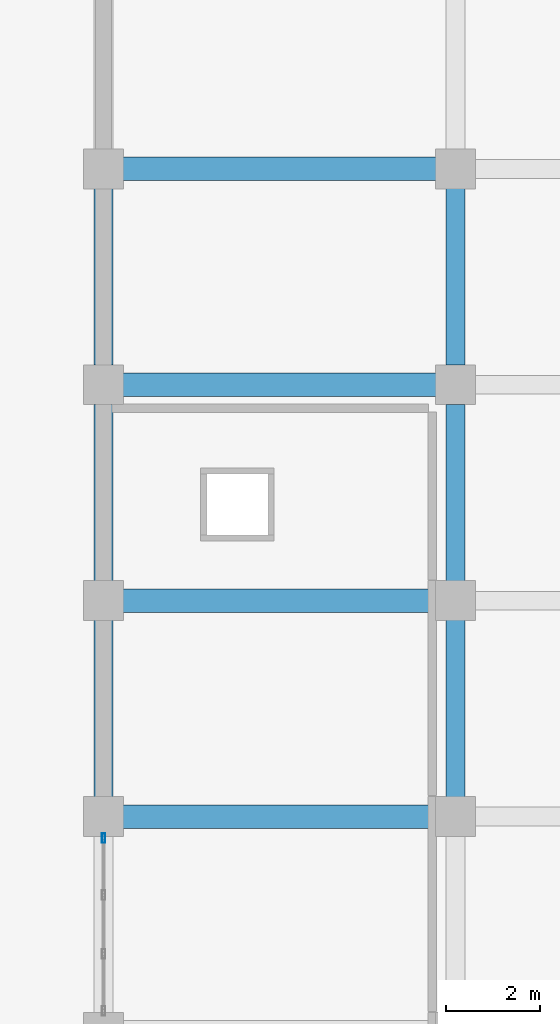
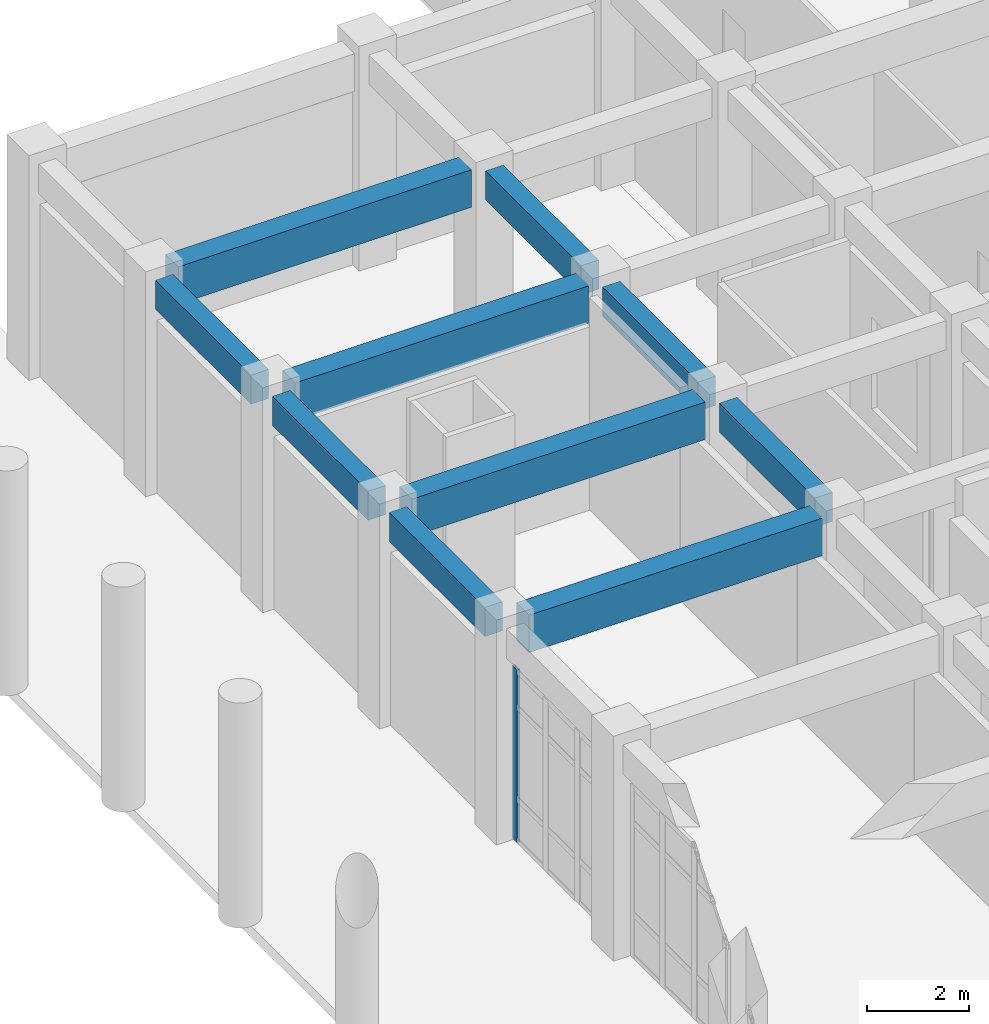
# One storey, part 17 of 84: 10 beams, 1 member, 1 element without a shape of its own.
"""IFC4 building model written with IfcOpenShell, lengths in metres."""

from ifc_helpers import new_model, si_unit, direction, frame, origin, origin_2d, place, context, subcontext, project, spatial, rectangle, hollow_rectangle, extrude, material, layer, layer_set, material_profile, profile_set, type_object, element, aggregate, save


model = new_model("IFC4")

# Units and contexts
model_context = context("Model", 3, precision=1e-05, world=origin(), true_north=direction((0.0, 1.0)))
body_context = subcontext(model_context, "Body", "Model", "MODEL_VIEW")
ifc_project = project(units=[si_unit("LENGTHUNIT", "METRE"), si_unit("AREAUNIT", "SQUARE_METRE"), si_unit("VOLUMEUNIT", "CUBIC_METRE"), si_unit("PLANEANGLEUNIT", "RADIAN"), si_unit("MASSUNIT", "GRAM", prefix="KILO")], contexts=[model_context])

# Site, building, storey
site_placement = place(None, origin())
site = spatial("IfcSite", under=ifc_project, at=site_placement, CompositionType="ELEMENT")
building_placement = place(site_placement, origin())
building = spatial("IfcBuilding", under=site, at=building_placement, Name="Muzn Square Opera House", CompositionType="ELEMENT")
storey_placement = place(building_placement, origin())
storey = spatial("IfcBuildingStorey", under=building, at=storey_placement, Name="L00", CompositionType="ELEMENT", Elevation=0.0)

# Curtain wall, member
ifc_material_1 = material(Name="Low-E laminated acoustic double glazing", Category="glass")
ifc_layer = layer(ifc_material_1, 0.159912109375, Name="Low-E laminated acoustic double glazing", Category="glass")
ifc_layer_set = layer_set([ifc_layer], Name="Low-E laminated acoustic double glazing")
curtain_wall_type = type_object("IfcCurtainWallType", Name="Glazed Curtain Wall WestBlvd 3750x4150", PredefinedType="USERDEFINED", material=ifc_layer_set)
curtain_wall_placement = place(storey_placement, origin())
curtain_wall = element("IfcCurtainWall", 1, at=curtain_wall_placement, inside=storey, type_object=curtain_wall_type, Name="Glazed Curtain Wall CW-L00-138", ObjectType="GLAZED CURTAIN WALL", PredefinedType="USERDEFINED")
ifc_material_2 = material(Name="Anodised bronze aluminium 6063-T6", Category="metal")
ifc_material_profile_1 = material_profile(ifc_material_2, hollow_rectangle(XDim=0.070068359375, YDim=0.199951171875, WallThickness=0.0048828125, at=origin_2d()), Name="ALU 200x70x5", Category="metal")
ifc_profile_set_1 = profile_set([ifc_material_profile_1], Name="Anodised bronze aluminium 6063-T6")
member_type = type_object("IfcMemberType", Name="Curtain Wall Mullion 200x70", PredefinedType="MULLION", material=ifc_profile_set_1)
member_placement = place(storey_placement, frame((6.0, 49.139892578125, 0.0), z_axis=(0.0, 0.0, 1.0), x_axis=(-1.0, 0.0, 0.0)))
member = element("IfcMember", 2, at=member_placement, type_object=member_type, Name="CW-WBL-37x41 mullion 4", PredefinedType="MULLION", context=body_context, shape_type="SweptSolid", body=[
    extrude(hollow_rectangle(XDim=0.070068359375, YDim=0.199951171875, WallThickness=0.0048828125, at=origin_2d()), origin(), (0.0, 0.0, 1.0), 4.14990234375),
])
aggregate(curtain_wall, [member])

# Beams
ifc_material_3 = material(Name="Concrete C40/50", Category="concrete")
ifc_material_profile_2 = material_profile(ifc_material_3, rectangle(XDim=0.39990234375, YDim=0.699951171875, at=origin_2d()), Name="RCB 400x700", Category="concrete")
ifc_profile_set_2 = profile_set([ifc_material_profile_2], Name="Concrete C40/50")
beam_type_1 = type_object("IfcBeamType", Name="Primary Girder 400x700", PredefinedType="BEAM", material=ifc_profile_set_2)
beam_1_placement = place(storey_placement, frame((6.0, 50.01708984375, 4.77001953125), z_axis=(0.0, 1.0, 0.0), x_axis=(-1.0, 0.0, 0.0)))
element("IfcBeam", 3, at=beam_1_placement, inside=storey, type_object=beam_type_1, Name="Primary Girder BM-L00-BM-PG700-60_500_60_538-962", PredefinedType="BEAM", context=body_context, shape_type="SweptSolid", body=[
    extrude(rectangle(XDim=0.39990234375, YDim=0.699951171875, at=origin_2d()), origin(), (0.0, 0.0, 1.0), 3.765869140625),
])
beam_2_placement = place(storey_placement, frame((6.0, 54.616943359375, 4.77001953125), z_axis=(0.0, 1.0, 0.0), x_axis=(-1.0, 0.0, 0.0)))
element("IfcBeam", 4, at=beam_2_placement, inside=storey, type_object=beam_type_1, Name="Primary Girder BM-L00-BM-PG700-60_546_60_584-963", PredefinedType="BEAM", context=body_context, shape_type="SweptSolid", body=[
    extrude(rectangle(XDim=0.39990234375, YDim=0.699951171875, at=origin_2d()), origin(), (0.0, 0.0, 1.0), 3.76611328125),
])
for number, where, z_axis, x_axis, name in (
    (5, (6.0, 59.217041015625, 4.77001953125), (0.0, 1.0, 0.0), (-1.0, 0.0, 0.0), "Primary Girder BM-L00-BM-PG700-60_592_60_630-964"),
    (6, (13.5, 50.01708984375, 4.77001953125), (0.0, 1.0, 0.0), (-1.0, 0.0, 0.0), "Primary Girder BM-L00-BM-PG700-135_500_135_538-973"),
):
    element("IfcBeam", number, at=place(storey_placement, frame(where, z_axis=z_axis, x_axis=x_axis)), inside=storey, type_object=beam_type_1, Name=name, PredefinedType="BEAM", context=body_context, shape_type="SweptSolid", body=[
        extrude(rectangle(XDim=0.39990234375, YDim=0.699951171875, at=origin_2d()), origin(), (0.0, 0.0, 1.0), 3.765869140625),
    ])
beam_3_placement = place(storey_placement, frame((13.5, 54.616943359375, 4.77001953125), z_axis=(0.0, 1.0, 0.0), x_axis=(-1.0, 0.0, 0.0)))
element("IfcBeam", 7, at=beam_3_placement, inside=storey, type_object=beam_type_1, Name="Primary Girder BM-L00-BM-PG700-135_546_135_584-974", PredefinedType="BEAM", context=body_context, shape_type="SweptSolid", body=[
    extrude(rectangle(XDim=0.39990234375, YDim=0.699951171875, at=origin_2d()), origin(), (0.0, 0.0, 1.0), 3.76611328125),
])
beam_4_placement = place(storey_placement, frame((13.5, 59.217041015625, 4.77001953125), z_axis=(0.0, 1.0, 0.0), x_axis=(-1.0, 0.0, 0.0)))
element("IfcBeam", 8, at=beam_4_placement, inside=storey, type_object=beam_type_1, Name="Primary Girder BM-L00-BM-PG700-135_592_135_630-975", PredefinedType="BEAM", context=body_context, shape_type="SweptSolid", body=[
    extrude(rectangle(XDim=0.39990234375, YDim=0.699951171875, at=origin_2d()), origin(), (0.0, 0.0, 1.0), 3.765869140625),
])
ifc_material_profile_3 = material_profile(ifc_material_3, rectangle(XDim=0.5, YDim=0.89990234375, at=origin_2d()), Name="RCB 500x900", Category="concrete")
ifc_profile_set_3 = profile_set([ifc_material_profile_3], Name="Concrete C40/50")
beam_type_2 = type_object("IfcBeamType", Name="Primary Girder 500x900", PredefinedType="BEAM", material=ifc_profile_set_3)
for number, where, z_axis, x_axis, name in (
    (9, (6.4169921875, 49.60009765625, 4.669921875), (1.0, 0.0, 0.0), (0.0, 1.0, 0.0), "Primary Girder BM-L00-BM-PG900-64_496_131_496-833"),
    (10, (6.4169921875, 54.199951171875, 4.669921875), (1.0, 0.0, 0.0), (0.0, 1.0, 0.0), "Primary Girder BM-L00-BM-PG900-64_542_131_542-839"),
    (11, (6.4169921875, 58.800048828125, 4.669921875), (1.0, 0.0, 0.0), (0.0, 1.0, 0.0), "Primary Girder BM-L00-BM-PG900-64_588_131_588-851"),
    (12, (6.4169921875, 63.39990234375, 4.669921875), (1.0, 0.0, 0.0), (0.0, 1.0, 0.0), "Primary Girder BM-L00-BM-PG900-64_634_131_634-863"),
):
    element("IfcBeam", number, at=place(storey_placement, frame(where, z_axis=z_axis, x_axis=x_axis)), inside=storey, type_object=beam_type_2, Name=name, PredefinedType="BEAM", context=body_context, shape_type="SweptSolid", body=[
        extrude(rectangle(XDim=0.5, YDim=0.89990234375, at=origin_2d()), origin(), (0.0, 0.0, 1.0), 6.666015625),
    ])

save(model, "model.ifc")
